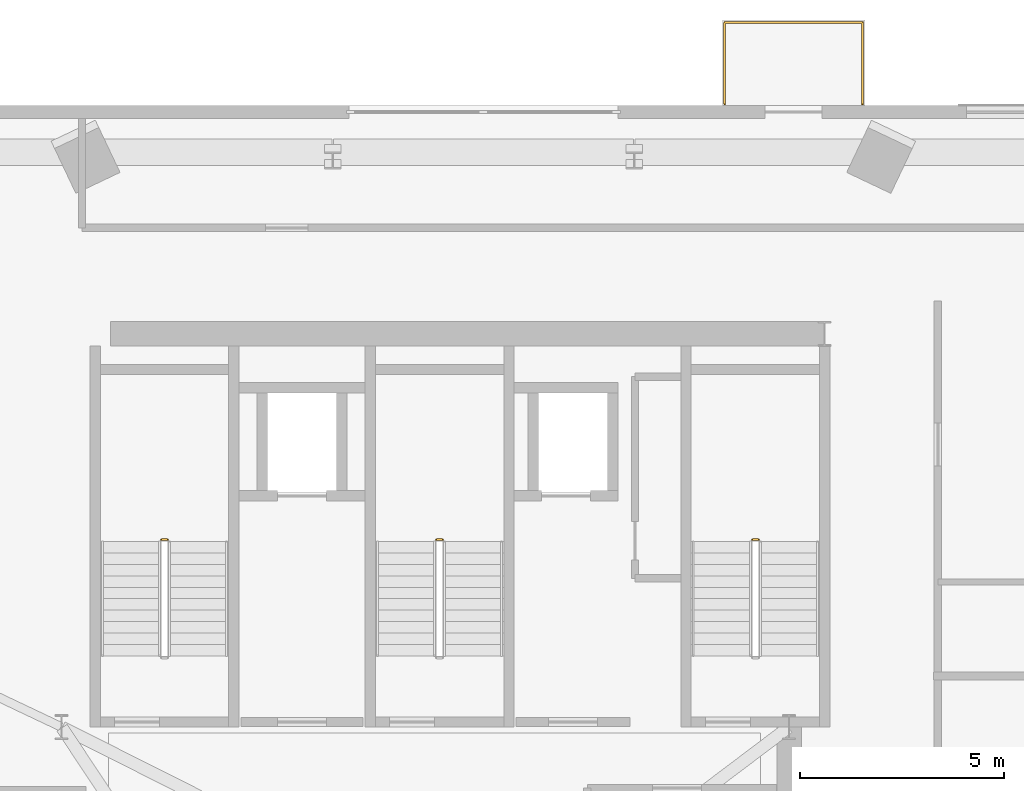
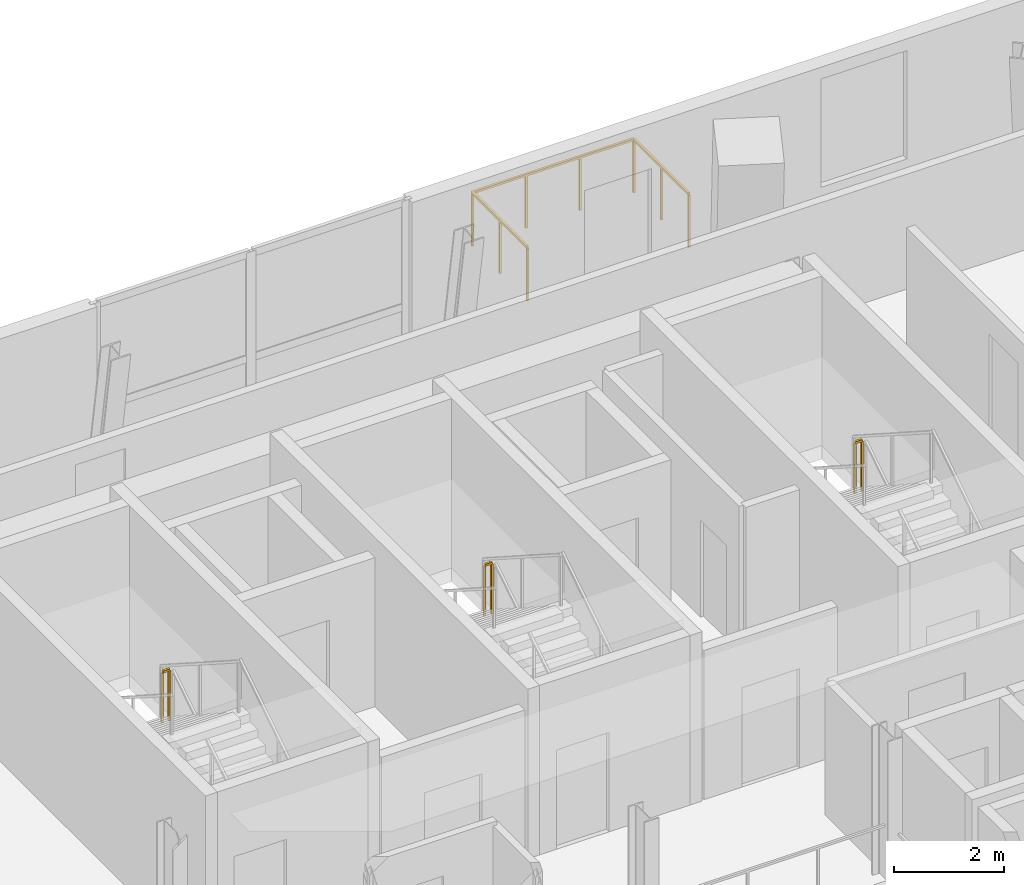
# One storey, part 13 of 13: 4 railings.
"""IFC4 building model written with IfcOpenShell, lengths in metres."""

from ifc_helpers import new_model, si_unit, direction, frame, origin, origin_2d, place, context, subcontext, project, spatial, rectangle, extrude, source, transform, mapped, material, type_object, element, save


model = new_model("IFC4")

# Units and contexts
model_context = context("Model", 3, precision=1e-05, world=origin(), true_north=direction((0.0, 1.0)))
body_context = subcontext(model_context, "Body", "Model", "MODEL_VIEW")
ifc_project = project(units=[si_unit("LENGTHUNIT", "METRE"), si_unit("AREAUNIT", "SQUARE_METRE"), si_unit("VOLUMEUNIT", "CUBIC_METRE"), si_unit("PLANEANGLEUNIT", "RADIAN"), si_unit("MASSUNIT", "GRAM", prefix="KILO")], contexts=[model_context])

# Site, building, storey
site_placement = place(None, origin())
site = spatial("IfcSite", under=ifc_project, at=site_placement, CompositionType="ELEMENT")
building_placement = place(site_placement, origin())
building = spatial("IfcBuilding", under=site, at=building_placement, Name="Vardaveli Station Tower", CompositionType="ELEMENT")
storey_placement = place(building_placement, frame((0.0, 0.0, 274.300048828125)))
storey = spatial("IfcBuildingStorey", under=building, at=storey_placement, Name="L70", CompositionType="ELEMENT", Elevation=274.300048828125)

# Railings
ifc_material_1 = material(Name="Laminated glass and stainless steel balustrade", Category="steel")
railing_type_1 = type_object("IfcRailingType", Name="RL-BAL-1200", PredefinedType="BALUSTRADE", material=ifc_material_1)
shared_shape_1 = source(origin(), body_context, "Body", "SweptSolid", [
    extrude(rectangle(XDim=0.048095703125, YDim=0.048095703125, at=origin_2d()), frame((0.0, 0.0, 1.17578125), z_axis=(0.0, 1.0, 0.0), x_axis=(-1.0, 0.0, 0.0)), (0.0, 0.0, 1.0), 2.0),
    extrude(rectangle(XDim=0.048095703125, YDim=0.048095703125, at=origin_2d()), frame((0.0, 2.0, 1.17578125), z_axis=(1.0, 0.0, 0.0), x_axis=(0.0, 1.0, 0.0)), (0.0, 0.0, 1.0), 3.3798828125),
    extrude(rectangle(XDim=0.048095703125, YDim=0.048095703125, at=origin_2d()), frame((3.3798828125, 2.0, 1.17578125), z_axis=(0.0, -1.0, 0.0), x_axis=(1.0, 0.0, 0.0)), (0.0, 0.0, 1.0), 2.0),
    extrude(rectangle(XDim=0.0419921875, YDim=0.0419921875, at=origin_2d()), origin(), (0.0, 0.0, 1.0), 1.15185546875),
    extrude(rectangle(XDim=0.0419921875, YDim=0.0419921875, at=origin_2d()), frame((0.0, 1.0, 0.0)), (0.0, 0.0, 1.0), 1.15185546875),
    extrude(rectangle(XDim=0.0419921875, YDim=0.0419921875, at=origin_2d()), frame((0.0, 2.0, 0.0)), (0.0, 0.0, 1.0), 1.15185546875),
    extrude(rectangle(XDim=0.0419921875, YDim=0.0419921875, at=origin_2d()), frame((1.126708984375, 2.0, 0.0)), (0.0, 0.0, 1.0), 1.15185546875),
    extrude(rectangle(XDim=0.0419921875, YDim=0.0419921875, at=origin_2d()), frame((2.253173828125, 2.0, 0.0)), (0.0, 0.0, 1.0), 1.15185546875),
    extrude(rectangle(XDim=0.0419921875, YDim=0.0419921875, at=origin_2d()), frame((3.3798828125, 2.0, 0.0)), (0.0, 0.0, 1.0), 1.15185546875),
    extrude(rectangle(XDim=0.0419921875, YDim=0.0419921875, at=origin_2d()), frame((3.3798828125, 1.0, 0.0)), (0.0, 0.0, 1.0), 1.15185546875),
    extrude(rectangle(XDim=0.0419921875, YDim=0.0419921875, at=origin_2d()), frame((3.3798828125, 0.0, 0.0)), (0.0, 0.0, 1.0), 1.15185546875),
])
railing_placement = place(storey_placement, frame((44.921630859375, 45.93994140625, 0.0)))
element("IfcRailing", 1, at=railing_placement, inside=storey, type_object=railing_type_1, Name="RL-LOG-L70-02", PredefinedType="BALUSTRADE", context=body_context, shape_type="MappedRepresentation", body=[
    mapped(shared_shape_1, transform((0.0, 0.0, 0.0), scale=1.0)),
])
ifc_material_2 = material(Name="Brushed AISI 316 stainless steel", Category="steel")
railing_type_2 = type_object("IfcRailingType", Name="RL-GUARD-1150", PredefinedType="GUARDRAIL", material=ifc_material_2)
shared_shape_2 = source(origin(), body_context, "Body", "SweptSolid", [
    extrude(rectangle(XDim=0.048095703125, YDim=0.048095703125, at=origin_2d()), frame((0.0, 0.0, 1.1259765625), z_axis=(-1.0, 0.0, 0.0), x_axis=(0.0, -1.0, 0.0)), (0.0, 0.0, 1.0), 0.14990234375),
    extrude(rectangle(XDim=0.0419921875, YDim=0.0419921875, at=origin_2d()), origin(), (0.0, 0.0, 1.0), 1.101806640625),
    extrude(rectangle(XDim=0.0419921875, YDim=0.0419921875, at=origin_2d()), frame((-0.14990234375, 0.0, 0.0)), (0.0, 0.0, 1.0), 1.101806640625),
])
for number, where, name in (
    (2, (31.25, 35.25, 1.974853515625), "L70 ST-1 stair guard 2"),
    (3, (38.0, 35.25, 1.974853515625), "L70 ST-2 stair guard 2"),
    (4, (45.75, 35.25, 1.974853515625), "L70 ST-3 stair guard 2"),
):
    element("IfcRailing", number, at=place(storey_placement, frame(where)), inside=storey, type_object=railing_type_2, Name=name, PredefinedType="GUARDRAIL", context=body_context, shape_type="MappedRepresentation", body=[
        mapped(shared_shape_2, transform((0.0, 0.0, 0.0), scale=1.0)),
    ])

save(model, "model.ifc")
